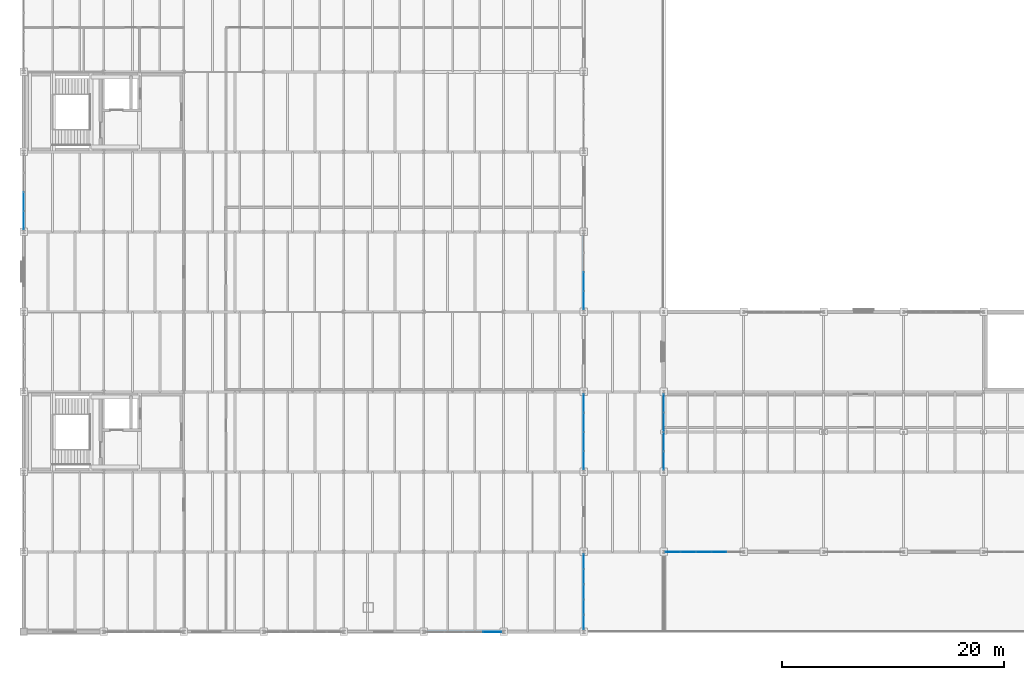
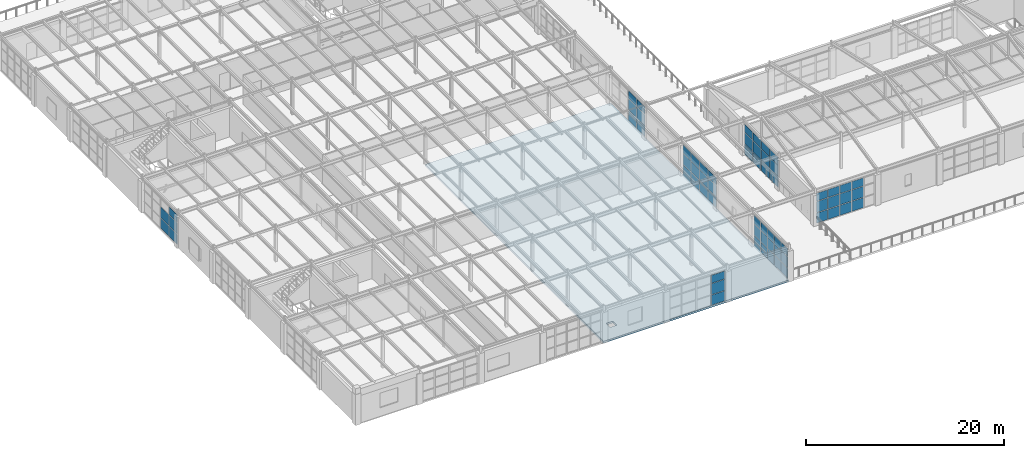
# One storey, part 82 of 101: 65 plates, 1 slab, 7 elements without a shape of their own.
"""IFC4 building model written with IfcOpenShell, lengths in metres."""

from ifc_helpers import new_model, si_unit, direction, frame, origin, origin_2d, place, context, subcontext, project, spatial, polyline, rectangle, outline, extrude, material, layer, layer_set, type_object, element, aggregate, save


model = new_model("IFC4")

# Units and contexts
model_context = context("Model", 3, precision=1e-05, world=origin(), true_north=direction((0.0, 1.0)))
body_context = subcontext(model_context, "Body", "Model", "MODEL_VIEW")
ifc_project = project(units=[si_unit("LENGTHUNIT", "METRE"), si_unit("AREAUNIT", "SQUARE_METRE"), si_unit("VOLUMEUNIT", "CUBIC_METRE"), si_unit("PLANEANGLEUNIT", "RADIAN"), si_unit("MASSUNIT", "GRAM", prefix="KILO")], contexts=[model_context])

# Site, building, storey
site_placement = place(None, origin())
site = spatial("IfcSite", under=ifc_project, at=site_placement, CompositionType="ELEMENT")
building_placement = place(site_placement, origin())
building = spatial("IfcBuilding", under=site, at=building_placement, Name="Kemerveld Promenade Tramway Depot", CompositionType="ELEMENT")
storey_placement = place(building_placement, frame((0.0, 0.0, 9.89990234375)))
storey = spatial("IfcBuildingStorey", under=building, at=storey_placement, Name="L02", CompositionType="ELEMENT", Elevation=9.89990234375)

# Curtain wall, plates
ifc_material_1 = material(Name="Bronze anodised aluminium and solar glass", Category="aluminium")
ifc_layer_1 = layer(ifc_material_1, 0.159912109375)
ifc_layer_set_1 = layer_set([ifc_layer_1], Name="CW-SYS-09")
curtain_wall_type_1 = type_object("IfcCurtainWallType", Name="CW-SYS-09", PredefinedType="USERDEFINED", material=ifc_layer_set_1)
curtain_wall_1_placement = place(storey_placement, origin())
curtain_wall_1 = element("IfcCurtainWall", 1, at=curtain_wall_1_placement, inside=storey, type_object=curtain_wall_type_1, Name="CW-L02-V5W-06", ObjectType="GLAZED_CURTAIN_WALL", PredefinedType="USERDEFINED")
ifc_material_2 = material(Name="Solar-control laminated double glazing", Category="glass")
ifc_layer_2 = layer(ifc_material_2, 0.028076171875)
ifc_layer_set_2 = layer_set([ifc_layer_2], Name="CW-PNL-01")
plate_type_1 = type_object("IfcPlateType", Name="CW-PNL-01", PredefinedType="CURTAIN_PANEL", material=ifc_layer_set_2)
plate_1_placement = place(storey_placement, frame((0.0, 37.034912109375, 0.06005859375), z_axis=(0.0, 0.0, 1.0), x_axis=(0.0, 1.0, 0.0)))
plate_1 = element("IfcPlate", 2, at=plate_1_placement, type_object=plate_type_1, Name="CW09 panel 1.1", PredefinedType="CURTAIN_PANEL", context=body_context, shape_type="SweptSolid", body=[
    extrude(rectangle(XDim=1.62353515625, YDim=0.028076171875, at=origin_2d()), origin(), (0.0, 0.0, 1.0), 1.239990234375),
])
plate_2_placement = place(storey_placement, frame((0.0, 37.034912109375, 1.3603515625), z_axis=(0.0, 0.0, 1.0), x_axis=(0.0, 1.0, 0.0)))
plate_2 = element("IfcPlate", 3, at=plate_2_placement, type_object=plate_type_1, Name="CW09 panel 1.2", PredefinedType="CURTAIN_PANEL", context=body_context, shape_type="SweptSolid", body=[
    extrude(rectangle(XDim=1.62353515625, YDim=0.028076171875, at=origin_2d()), origin(), (0.0, 0.0, 1.0), 1.345947265625),
])
plate_3_placement = place(storey_placement, frame((0.0, 37.034912109375, 2.76611328125), z_axis=(0.0, 0.0, 1.0), x_axis=(0.0, 1.0, 0.0)))
plate_3 = element("IfcPlate", 4, at=plate_3_placement, type_object=plate_type_1, Name="CW09 panel 1.3", PredefinedType="CURTAIN_PANEL", context=body_context, shape_type="SweptSolid", body=[
    extrude(rectangle(XDim=1.62353515625, YDim=0.028076171875, at=origin_2d()), origin(), (0.0, 0.0, 1.0), 0.97412109375),
])
plate_4_placement = place(storey_placement, frame((0.0, 38.739501953125, 0.06005859375), z_axis=(0.0, 0.0, 1.0), x_axis=(0.0, 1.0, 0.0)))
plate_4 = element("IfcPlate", 5, at=plate_4_placement, type_object=plate_type_1, Name="CW09 panel 2.1", PredefinedType="CURTAIN_PANEL", context=body_context, shape_type="SweptSolid", body=[
    extrude(rectangle(XDim=1.656005859375, YDim=0.028076171875, at=origin_2d()), origin(), (0.0, 0.0, 1.0), 1.239990234375),
])
plate_5_placement = place(storey_placement, frame((0.0, 38.739501953125, 1.3603515625), z_axis=(0.0, 0.0, 1.0), x_axis=(0.0, 1.0, 0.0)))
plate_5 = element("IfcPlate", 6, at=plate_5_placement, type_object=plate_type_1, Name="CW09 panel 2.2", PredefinedType="CURTAIN_PANEL", context=body_context, shape_type="SweptSolid", body=[
    extrude(rectangle(XDim=1.656005859375, YDim=0.028076171875, at=origin_2d()), origin(), (0.0, 0.0, 1.0), 1.345947265625),
])
aggregate(curtain_wall_1, [plate_1, plate_2, plate_3, plate_4, plate_5])

curtain_wall_2_placement = place(storey_placement, origin())
curtain_wall_2 = element("IfcCurtainWall", 7, at=curtain_wall_2_placement, inside=storey, type_object=curtain_wall_type_1, Name="CW-L02-V5E-06", ObjectType="GLAZED_CURTAIN_WALL", PredefinedType="USERDEFINED")
plate_6_placement = place(storey_placement, frame((50.39990234375, 31.53955078125, 0.06005859375), z_axis=(0.0, 0.0, 1.0), x_axis=(0.0, -1.0, 0.0)))
plate_6 = element("IfcPlate", 8, at=plate_6_placement, type_object=plate_type_1, Name="CW09 panel 3.1", PredefinedType="CURTAIN_PANEL", context=body_context, shape_type="SweptSolid", body=[
    extrude(rectangle(XDim=1.656005859375, YDim=0.028076171875, at=origin_2d()), origin(), (0.0, 0.0, 1.0), 1.239990234375),
])
plate_7_placement = place(storey_placement, frame((50.39990234375, 31.53955078125, 1.3603515625), z_axis=(0.0, 0.0, 1.0), x_axis=(0.0, -1.0, 0.0)))
plate_7 = element("IfcPlate", 9, at=plate_7_placement, type_object=plate_type_1, Name="CW09 panel 3.2", PredefinedType="CURTAIN_PANEL", context=body_context, shape_type="SweptSolid", body=[
    extrude(rectangle(XDim=1.656005859375, YDim=0.028076171875, at=origin_2d()), origin(), (0.0, 0.0, 1.0), 1.345947265625),
])
plate_8_placement = place(storey_placement, frame((50.39990234375, 31.53955078125, 2.76611328125), z_axis=(0.0, 0.0, 1.0), x_axis=(0.0, -1.0, 0.0)))
plate_8 = element("IfcPlate", 10, at=plate_8_placement, type_object=plate_type_1, Name="CW09 panel 3.3", PredefinedType="CURTAIN_PANEL", context=body_context, shape_type="SweptSolid", body=[
    extrude(rectangle(XDim=1.656005859375, YDim=0.028076171875, at=origin_2d()), origin(), (0.0, 0.0, 1.0), 0.97412109375),
])
plate_9_placement = place(storey_placement, frame((50.39990234375, 29.834716796875, 0.06005859375), z_axis=(0.0, 0.0, 1.0), x_axis=(0.0, -1.0, 0.0)))
plate_9 = element("IfcPlate", 11, at=plate_9_placement, type_object=plate_type_1, Name="CW09 panel 4.1", PredefinedType="CURTAIN_PANEL", context=body_context, shape_type="SweptSolid", body=[
    extrude(rectangle(XDim=1.62353515625, YDim=0.028076171875, at=origin_2d()), origin(), (0.0, 0.0, 1.0), 1.239990234375),
])
plate_10_placement = place(storey_placement, frame((50.39990234375, 29.834716796875, 1.3603515625), z_axis=(0.0, 0.0, 1.0), x_axis=(0.0, -1.0, 0.0)))
plate_10 = element("IfcPlate", 12, at=plate_10_placement, type_object=plate_type_1, Name="CW09 panel 4.2", PredefinedType="CURTAIN_PANEL", context=body_context, shape_type="SweptSolid", body=[
    extrude(rectangle(XDim=1.62353515625, YDim=0.028076171875, at=origin_2d()), origin(), (0.0, 0.0, 1.0), 1.345947265625),
])
plate_11_placement = place(storey_placement, frame((50.39990234375, 29.834716796875, 2.76611328125), z_axis=(0.0, 0.0, 1.0), x_axis=(0.0, -1.0, 0.0)))
plate_11 = element("IfcPlate", 13, at=plate_11_placement, type_object=plate_type_1, Name="CW09 panel 4.3", PredefinedType="CURTAIN_PANEL", context=body_context, shape_type="SweptSolid", body=[
    extrude(rectangle(XDim=1.62353515625, YDim=0.028076171875, at=origin_2d()), origin(), (0.0, 0.0, 1.0), 0.97412109375),
])
aggregate(curtain_wall_2, [plate_6, plate_7, plate_8, plate_9, plate_10, plate_11])

ifc_layer_3 = layer(ifc_material_1, 0.159912109375)
ifc_layer_set_3 = layer_set([ifc_layer_3], Name="CW-SYS-11")
curtain_wall_type_2 = type_object("IfcCurtainWallType", Name="CW-SYS-11", PredefinedType="USERDEFINED", material=ifc_layer_set_3)
curtain_wall_3_placement = place(storey_placement, origin())
curtain_wall_3 = element("IfcCurtainWall", 14, at=curtain_wall_3_placement, inside=storey, type_object=curtain_wall_type_2, Name="CW-L02-V5E-08", ObjectType="GLAZED_CURTAIN_WALL", PredefinedType="USERDEFINED")
ifc_layer_4 = layer(ifc_material_2, 0.028076171875)
ifc_layer_set_4 = layer_set([ifc_layer_4], Name="CW-PNL-03")
plate_type_2 = type_object("IfcPlateType", Name="CW-PNL-03", PredefinedType="CURTAIN_PANEL", material=ifc_layer_set_4)
plate_12_placement = place(storey_placement, frame((50.39990234375, 20.565185546875, 0.06005859375), z_axis=(0.0, 0.0, 1.0), x_axis=(0.0, -1.0, 0.0)))
plate_12 = element("IfcPlate", 15, at=plate_12_placement, type_object=plate_type_2, Name="CW11 panel 1.1", PredefinedType="CURTAIN_PANEL", context=body_context, shape_type="SweptSolid", body=[
    extrude(rectangle(XDim=1.62353515625, YDim=0.028076171875, at=origin_2d()), origin(), (0.0, 0.0, 1.0), 1.239990234375),
])
plate_13_placement = place(storey_placement, frame((50.39990234375, 20.565185546875, 1.3603515625), z_axis=(0.0, 0.0, 1.0), x_axis=(0.0, -1.0, 0.0)))
plate_13 = element("IfcPlate", 16, at=plate_13_placement, type_object=plate_type_2, Name="CW11 panel 1.2", PredefinedType="CURTAIN_PANEL", context=body_context, shape_type="SweptSolid", body=[
    extrude(rectangle(XDim=1.62353515625, YDim=0.028076171875, at=origin_2d()), origin(), (0.0, 0.0, 1.0), 1.345947265625),
])
plate_14_placement = place(storey_placement, frame((50.39990234375, 20.565185546875, 2.76611328125), z_axis=(0.0, 0.0, 1.0), x_axis=(0.0, -1.0, 0.0)))
plate_14 = element("IfcPlate", 17, at=plate_14_placement, type_object=plate_type_2, Name="CW11 panel 1.3", PredefinedType="CURTAIN_PANEL", context=body_context, shape_type="SweptSolid", body=[
    extrude(rectangle(XDim=1.62353515625, YDim=0.028076171875, at=origin_2d()), origin(), (0.0, 0.0, 1.0), 0.97412109375),
])
plate_15_placement = place(storey_placement, frame((50.39990234375, 18.860595703125, 0.06005859375), z_axis=(0.0, 0.0, 1.0), x_axis=(0.0, -1.0, 0.0)))
plate_15 = element("IfcPlate", 18, at=plate_15_placement, type_object=plate_type_2, Name="CW11 panel 2.1", PredefinedType="CURTAIN_PANEL", context=body_context, shape_type="SweptSolid", body=[
    extrude(rectangle(XDim=1.656005859375, YDim=0.028076171875, at=origin_2d()), origin(), (0.0, 0.0, 1.0), 1.239990234375),
])
plate_16_placement = place(storey_placement, frame((50.39990234375, 18.860595703125, 1.3603515625), z_axis=(0.0, 0.0, 1.0), x_axis=(0.0, -1.0, 0.0)))
plate_16 = element("IfcPlate", 19, at=plate_16_placement, type_object=plate_type_2, Name="CW11 panel 2.2", PredefinedType="CURTAIN_PANEL", context=body_context, shape_type="SweptSolid", body=[
    extrude(rectangle(XDim=1.656005859375, YDim=0.028076171875, at=origin_2d()), origin(), (0.0, 0.0, 1.0), 1.345947265625),
])
plate_17_placement = place(storey_placement, frame((50.39990234375, 18.860595703125, 2.76611328125), z_axis=(0.0, 0.0, 1.0), x_axis=(0.0, -1.0, 0.0)))
plate_17 = element("IfcPlate", 20, at=plate_17_placement, type_object=plate_type_2, Name="CW11 panel 2.3", PredefinedType="CURTAIN_PANEL", context=body_context, shape_type="SweptSolid", body=[
    extrude(rectangle(XDim=1.656005859375, YDim=0.028076171875, at=origin_2d()), origin(), (0.0, 0.0, 1.0), 0.97412109375),
])
plate_18_placement = place(storey_placement, frame((50.39990234375, 17.139404296875, 0.06005859375), z_axis=(0.0, 0.0, 1.0), x_axis=(0.0, -1.0, 0.0)))
plate_18 = element("IfcPlate", 21, at=plate_18_placement, type_object=plate_type_2, Name="CW11 panel 3.1", PredefinedType="CURTAIN_PANEL", context=body_context, shape_type="SweptSolid", body=[
    extrude(rectangle(XDim=1.656005859375, YDim=0.028076171875, at=origin_2d()), origin(), (0.0, 0.0, 1.0), 1.239990234375),
])
plate_19_placement = place(storey_placement, frame((50.39990234375, 17.139404296875, 1.3603515625), z_axis=(0.0, 0.0, 1.0), x_axis=(0.0, -1.0, 0.0)))
plate_19 = element("IfcPlate", 22, at=plate_19_placement, type_object=plate_type_2, Name="CW11 panel 3.2", PredefinedType="CURTAIN_PANEL", context=body_context, shape_type="SweptSolid", body=[
    extrude(rectangle(XDim=1.656005859375, YDim=0.028076171875, at=origin_2d()), origin(), (0.0, 0.0, 1.0), 1.345947265625),
])
plate_20_placement = place(storey_placement, frame((50.39990234375, 17.139404296875, 2.76611328125), z_axis=(0.0, 0.0, 1.0), x_axis=(0.0, -1.0, 0.0)))
plate_20 = element("IfcPlate", 23, at=plate_20_placement, type_object=plate_type_2, Name="CW11 panel 3.3", PredefinedType="CURTAIN_PANEL", context=body_context, shape_type="SweptSolid", body=[
    extrude(rectangle(XDim=1.656005859375, YDim=0.028076171875, at=origin_2d()), origin(), (0.0, 0.0, 1.0), 0.97412109375),
])
plate_21_placement = place(storey_placement, frame((50.39990234375, 15.434814453125, 0.06005859375), z_axis=(0.0, 0.0, 1.0), x_axis=(0.0, -1.0, 0.0)))
plate_21 = element("IfcPlate", 24, at=plate_21_placement, type_object=plate_type_2, Name="CW11 panel 4.1", PredefinedType="CURTAIN_PANEL", context=body_context, shape_type="SweptSolid", body=[
    extrude(rectangle(XDim=1.62353515625, YDim=0.028076171875, at=origin_2d()), origin(), (0.0, 0.0, 1.0), 1.239990234375),
])
plate_22_placement = place(storey_placement, frame((50.39990234375, 15.434814453125, 1.3603515625), z_axis=(0.0, 0.0, 1.0), x_axis=(0.0, -1.0, 0.0)))
plate_22 = element("IfcPlate", 25, at=plate_22_placement, type_object=plate_type_2, Name="CW11 panel 4.2", PredefinedType="CURTAIN_PANEL", context=body_context, shape_type="SweptSolid", body=[
    extrude(rectangle(XDim=1.62353515625, YDim=0.028076171875, at=origin_2d()), origin(), (0.0, 0.0, 1.0), 1.345947265625),
])
plate_23_placement = place(storey_placement, frame((50.39990234375, 15.434814453125, 2.76611328125), z_axis=(0.0, 0.0, 1.0), x_axis=(0.0, -1.0, 0.0)))
plate_23 = element("IfcPlate", 26, at=plate_23_placement, type_object=plate_type_2, Name="CW11 panel 4.3", PredefinedType="CURTAIN_PANEL", context=body_context, shape_type="SweptSolid", body=[
    extrude(rectangle(XDim=1.62353515625, YDim=0.028076171875, at=origin_2d()), origin(), (0.0, 0.0, 1.0), 0.97412109375),
])
aggregate(curtain_wall_3, [plate_12, plate_13, plate_14, plate_15, plate_16, plate_17, plate_18, plate_19, plate_20, plate_21, plate_22, plate_23])

ifc_layer_5 = layer(ifc_material_1, 0.159912109375)
ifc_layer_set_5 = layer_set([ifc_layer_5], Name="CW-SYS-13")
curtain_wall_type_3 = type_object("IfcCurtainWallType", Name="CW-SYS-13", PredefinedType="USERDEFINED", material=ifc_layer_set_5)
curtain_wall_4_placement = place(storey_placement, origin())
curtain_wall_4 = element("IfcCurtainWall", 27, at=curtain_wall_4_placement, inside=storey, type_object=curtain_wall_type_3, Name="CW-L02-V5E-10", ObjectType="GLAZED_CURTAIN_WALL", PredefinedType="USERDEFINED")
ifc_layer_6 = layer(ifc_material_2, 0.031982421875)
ifc_layer_set_6 = layer_set([ifc_layer_6], Name="CW-PNL-05")
plate_type_3 = type_object("IfcPlateType", Name="CW-PNL-05", PredefinedType="CURTAIN_PANEL", material=ifc_layer_set_6)
plate_24_placement = place(storey_placement, frame((50.39990234375, 6.337158203125, 0.06005859375), z_axis=(0.0, 0.0, 1.0), x_axis=(0.0, -1.0, 0.0)))
plate_24 = element("IfcPlate", 28, at=plate_24_placement, type_object=plate_type_3, Name="CW13 panel 1.1", PredefinedType="CURTAIN_PANEL", context=body_context, shape_type="SweptSolid", body=[
    extrude(rectangle(XDim=1.279296875, YDim=0.031982421875, at=origin_2d()), origin(), (0.0, 0.0, 1.0), 1.239990234375),
])
plate_25_placement = place(storey_placement, frame((50.39990234375, 6.337158203125, 1.3603515625), z_axis=(0.0, 0.0, 1.0), x_axis=(0.0, -1.0, 0.0)))
plate_25 = element("IfcPlate", 29, at=plate_25_placement, type_object=plate_type_3, Name="CW13 panel 1.2", PredefinedType="CURTAIN_PANEL", context=body_context, shape_type="SweptSolid", body=[
    extrude(rectangle(XDim=1.279296875, YDim=0.031982421875, at=origin_2d()), origin(), (0.0, 0.0, 1.0), 1.345947265625),
])
plate_26_placement = place(storey_placement, frame((50.39990234375, 6.337158203125, 2.76611328125), z_axis=(0.0, 0.0, 1.0), x_axis=(0.0, -1.0, 0.0)))
plate_26 = element("IfcPlate", 30, at=plate_26_placement, type_object=plate_type_3, Name="CW13 panel 1.3", PredefinedType="CURTAIN_PANEL", context=body_context, shape_type="SweptSolid", body=[
    extrude(rectangle(XDim=1.279296875, YDim=0.031982421875, at=origin_2d()), origin(), (0.0, 0.0, 1.0), 0.97412109375),
])
plate_27_placement = place(storey_placement, frame((50.39990234375, 4.976806640625, 0.06005859375), z_axis=(0.0, 0.0, 1.0), x_axis=(0.0, -1.0, 0.0)))
plate_27 = element("IfcPlate", 31, at=plate_27_placement, type_object=plate_type_3, Name="CW13 panel 2.1", PredefinedType="CURTAIN_PANEL", context=body_context, shape_type="SweptSolid", body=[
    extrude(rectangle(XDim=1.311767578125, YDim=0.031982421875, at=origin_2d()), origin(), (0.0, 0.0, 1.0), 1.239990234375),
])
plate_28_placement = place(storey_placement, frame((50.39990234375, 4.976806640625, 1.3603515625), z_axis=(0.0, 0.0, 1.0), x_axis=(0.0, -1.0, 0.0)))
plate_28 = element("IfcPlate", 32, at=plate_28_placement, type_object=plate_type_3, Name="CW13 panel 2.2", PredefinedType="CURTAIN_PANEL", context=body_context, shape_type="SweptSolid", body=[
    extrude(rectangle(XDim=1.311767578125, YDim=0.031982421875, at=origin_2d()), origin(), (0.0, 0.0, 1.0), 1.345947265625),
])
plate_29_placement = place(storey_placement, frame((50.39990234375, 4.976806640625, 2.76611328125), z_axis=(0.0, 0.0, 1.0), x_axis=(0.0, -1.0, 0.0)))
plate_29 = element("IfcPlate", 33, at=plate_29_placement, type_object=plate_type_3, Name="CW13 panel 2.3", PredefinedType="CURTAIN_PANEL", context=body_context, shape_type="SweptSolid", body=[
    extrude(rectangle(XDim=1.311767578125, YDim=0.031982421875, at=origin_2d()), origin(), (0.0, 0.0, 1.0), 0.97412109375),
])
plate_30_placement = place(storey_placement, frame((50.39990234375, 3.60009765625, 0.06005859375), z_axis=(0.0, 0.0, 1.0), x_axis=(0.0, -1.0, 0.0)))
plate_30 = element("IfcPlate", 34, at=plate_30_placement, type_object=plate_type_3, Name="CW13 panel 3.1", PredefinedType="CURTAIN_PANEL", context=body_context, shape_type="SweptSolid", body=[
    extrude(rectangle(XDim=1.311767578125, YDim=0.031982421875, at=origin_2d()), origin(), (0.0, 0.0, 1.0), 1.239990234375),
])
plate_31_placement = place(storey_placement, frame((50.39990234375, 3.60009765625, 1.3603515625), z_axis=(0.0, 0.0, 1.0), x_axis=(0.0, -1.0, 0.0)))
plate_31 = element("IfcPlate", 35, at=plate_31_placement, type_object=plate_type_3, Name="CW13 panel 3.2", PredefinedType="CURTAIN_PANEL", context=body_context, shape_type="SweptSolid", body=[
    extrude(rectangle(XDim=1.311767578125, YDim=0.031982421875, at=origin_2d()), origin(), (0.0, 0.0, 1.0), 1.345947265625),
])
plate_32_placement = place(storey_placement, frame((50.39990234375, 3.60009765625, 2.76611328125), z_axis=(0.0, 0.0, 1.0), x_axis=(0.0, -1.0, 0.0)))
plate_32 = element("IfcPlate", 36, at=plate_32_placement, type_object=plate_type_3, Name="CW13 panel 3.3", PredefinedType="CURTAIN_PANEL", context=body_context, shape_type="SweptSolid", body=[
    extrude(rectangle(XDim=1.311767578125, YDim=0.031982421875, at=origin_2d()), origin(), (0.0, 0.0, 1.0), 0.97412109375),
])
plate_33_placement = place(storey_placement, frame((50.39990234375, 2.22314453125, 0.06005859375), z_axis=(0.0, 0.0, 1.0), x_axis=(0.0, -1.0, 0.0)))
plate_33 = element("IfcPlate", 37, at=plate_33_placement, type_object=plate_type_3, Name="CW13 panel 4.1", PredefinedType="CURTAIN_PANEL", context=body_context, shape_type="SweptSolid", body=[
    extrude(rectangle(XDim=1.311767578125, YDim=0.031982421875, at=origin_2d()), origin(), (0.0, 0.0, 1.0), 1.239990234375),
])
plate_34_placement = place(storey_placement, frame((50.39990234375, 2.22314453125, 1.3603515625), z_axis=(0.0, 0.0, 1.0), x_axis=(0.0, -1.0, 0.0)))
plate_34 = element("IfcPlate", 38, at=plate_34_placement, type_object=plate_type_3, Name="CW13 panel 4.2", PredefinedType="CURTAIN_PANEL", context=body_context, shape_type="SweptSolid", body=[
    extrude(rectangle(XDim=1.311767578125, YDim=0.031982421875, at=origin_2d()), origin(), (0.0, 0.0, 1.0), 1.345947265625),
])
plate_35_placement = place(storey_placement, frame((50.39990234375, 2.22314453125, 2.76611328125), z_axis=(0.0, 0.0, 1.0), x_axis=(0.0, -1.0, 0.0)))
plate_35 = element("IfcPlate", 39, at=plate_35_placement, type_object=plate_type_3, Name="CW13 panel 4.3", PredefinedType="CURTAIN_PANEL", context=body_context, shape_type="SweptSolid", body=[
    extrude(rectangle(XDim=1.311767578125, YDim=0.031982421875, at=origin_2d()), origin(), (0.0, 0.0, 1.0), 0.97412109375),
])
plate_36_placement = place(storey_placement, frame((50.39990234375, 0.86279296875, 0.06005859375), z_axis=(0.0, 0.0, 1.0), x_axis=(0.0, -1.0, 0.0)))
plate_36 = element("IfcPlate", 40, at=plate_36_placement, type_object=plate_type_3, Name="CW13 panel 5.1", PredefinedType="CURTAIN_PANEL", context=body_context, shape_type="SweptSolid", body=[
    extrude(rectangle(XDim=1.279296875, YDim=0.031982421875, at=origin_2d()), origin(), (0.0, 0.0, 1.0), 1.239990234375),
])
plate_37_placement = place(storey_placement, frame((50.39990234375, 0.86279296875, 1.3603515625), z_axis=(0.0, 0.0, 1.0), x_axis=(0.0, -1.0, 0.0)))
plate_37 = element("IfcPlate", 41, at=plate_37_placement, type_object=plate_type_3, Name="CW13 panel 5.2", PredefinedType="CURTAIN_PANEL", context=body_context, shape_type="SweptSolid", body=[
    extrude(rectangle(XDim=1.279296875, YDim=0.031982421875, at=origin_2d()), origin(), (0.0, 0.0, 1.0), 1.345947265625),
])
plate_38_placement = place(storey_placement, frame((50.39990234375, 0.86279296875, 2.76611328125), z_axis=(0.0, 0.0, 1.0), x_axis=(0.0, -1.0, 0.0)))
plate_38 = element("IfcPlate", 42, at=plate_38_placement, type_object=plate_type_3, Name="CW13 panel 5.3", PredefinedType="CURTAIN_PANEL", context=body_context, shape_type="SweptSolid", body=[
    extrude(rectangle(XDim=1.279296875, YDim=0.031982421875, at=origin_2d()), origin(), (0.0, 0.0, 1.0), 0.97412109375),
])
aggregate(curtain_wall_4, [plate_24, plate_25, plate_26, plate_27, plate_28, plate_29, plate_30, plate_31, plate_32, plate_33, plate_34, plate_35, plate_36, plate_37, plate_38])

ifc_layer_7 = layer(ifc_material_1, 0.159912109375)
ifc_layer_set_7 = layer_set([ifc_layer_7], Name="CW-SYS-05")
curtain_wall_type_4 = type_object("IfcCurtainWallType", Name="CW-SYS-05", PredefinedType="USERDEFINED", material=ifc_layer_set_7)
curtain_wall_5_placement = place(storey_placement, origin())
curtain_wall_5 = element("IfcCurtainWall", 43, at=curtain_wall_5_placement, inside=storey, type_object=curtain_wall_type_4, Name="CW-L02-V5S-02", ObjectType="GLAZED_CURTAIN_WALL", PredefinedType="USERDEFINED")
plate_39_placement = place(storey_placement, frame((42.165283203125, 0.0, 0.06005859375), z_axis=(0.0, 0.0, 1.0), x_axis=(-1.0, 0.0, 0.0)))
plate_39 = element("IfcPlate", 44, at=plate_39_placement, type_object=plate_type_3, Name="CW05 panel 1.1", PredefinedType="CURTAIN_PANEL", context=body_context, shape_type="SweptSolid", body=[
    extrude(rectangle(XDim=1.62353515625, YDim=0.031982421875, at=origin_2d()), origin(), (0.0, 0.0, 1.0), 1.239990234375),
])
plate_40_placement = place(storey_placement, frame((42.165283203125, 0.0, 1.3603515625), z_axis=(0.0, 0.0, 1.0), x_axis=(-1.0, 0.0, 0.0)))
plate_40 = element("IfcPlate", 45, at=plate_40_placement, type_object=plate_type_3, Name="CW05 panel 1.2", PredefinedType="CURTAIN_PANEL", context=body_context, shape_type="SweptSolid", body=[
    extrude(rectangle(XDim=1.62353515625, YDim=0.031982421875, at=origin_2d()), origin(), (0.0, 0.0, 1.0), 1.345947265625),
])
plate_41_placement = place(storey_placement, frame((42.165283203125, 0.0, 2.76611328125), z_axis=(0.0, 0.0, 1.0), x_axis=(-1.0, 0.0, 0.0)))
plate_41 = element("IfcPlate", 46, at=plate_41_placement, type_object=plate_type_3, Name="CW05 panel 1.3", PredefinedType="CURTAIN_PANEL", context=body_context, shape_type="SweptSolid", body=[
    extrude(rectangle(XDim=1.62353515625, YDim=0.031982421875, at=origin_2d()), origin(), (0.0, 0.0, 1.0), 0.97412109375),
])
aggregate(curtain_wall_5, [plate_39, plate_40, plate_41])

curtain_wall_6_placement = place(storey_placement, origin())
curtain_wall_6 = element("IfcCurtainWall", 47, at=curtain_wall_6_placement, inside=storey, type_object=curtain_wall_type_3, Name="CW-L02-V4S-10", ObjectType="GLAZED_CURTAIN_WALL", PredefinedType="USERDEFINED")
plate_42_placement = place(storey_placement, frame((62.590087890625, 7.199951171875, 0.06005859375), z_axis=(0.0, 0.0, 1.0), x_axis=(-1.0, 0.0, 0.0)))
plate_42 = element("IfcPlate", 48, at=plate_42_placement, type_object=plate_type_3, Name="CW13 panel 2.1", PredefinedType="CURTAIN_PANEL", context=body_context, shape_type="SweptSolid", body=[
    extrude(rectangle(XDim=1.3251953125, YDim=0.031982421875, at=origin_2d()), origin(), (0.0, 0.0, 1.0), 1.239990234375),
])
plate_43_placement = place(storey_placement, frame((62.590087890625, 7.199951171875, 1.3603515625), z_axis=(0.0, 0.0, 1.0), x_axis=(-1.0, 0.0, 0.0)))
plate_43 = element("IfcPlate", 49, at=plate_43_placement, type_object=plate_type_3, Name="CW13 panel 2.2", PredefinedType="CURTAIN_PANEL", context=body_context, shape_type="SweptSolid", body=[
    extrude(rectangle(XDim=1.3251953125, YDim=0.031982421875, at=origin_2d()), origin(), (0.0, 0.0, 1.0), 1.345947265625),
])
plate_44_placement = place(storey_placement, frame((62.590087890625, 7.199951171875, 2.76611328125), z_axis=(0.0, 0.0, 1.0), x_axis=(-1.0, 0.0, 0.0)))
plate_44 = element("IfcPlate", 50, at=plate_44_placement, type_object=plate_type_3, Name="CW13 panel 2.3", PredefinedType="CURTAIN_PANEL", context=body_context, shape_type="SweptSolid", body=[
    extrude(rectangle(XDim=1.3251953125, YDim=0.031982421875, at=origin_2d()), origin(), (0.0, 0.0, 1.0), 0.97412109375),
])
plate_45_placement = place(storey_placement, frame((61.199951171875, 7.199951171875, 0.06005859375), z_axis=(0.0, 0.0, 1.0), x_axis=(-1.0, 0.0, 0.0)))
plate_45 = element("IfcPlate", 51, at=plate_45_placement, type_object=plate_type_3, Name="CW13 panel 3.1", PredefinedType="CURTAIN_PANEL", context=body_context, shape_type="SweptSolid", body=[
    extrude(rectangle(XDim=1.3251953125, YDim=0.031982421875, at=origin_2d()), origin(), (0.0, 0.0, 1.0), 1.239990234375),
])
plate_46_placement = place(storey_placement, frame((61.199951171875, 7.199951171875, 1.3603515625), z_axis=(0.0, 0.0, 1.0), x_axis=(-1.0, 0.0, 0.0)))
plate_46 = element("IfcPlate", 52, at=plate_46_placement, type_object=plate_type_3, Name="CW13 panel 3.2", PredefinedType="CURTAIN_PANEL", context=body_context, shape_type="SweptSolid", body=[
    extrude(rectangle(XDim=1.3251953125, YDim=0.031982421875, at=origin_2d()), origin(), (0.0, 0.0, 1.0), 1.345947265625),
])
plate_47_placement = place(storey_placement, frame((61.199951171875, 7.199951171875, 2.76611328125), z_axis=(0.0, 0.0, 1.0), x_axis=(-1.0, 0.0, 0.0)))
plate_47 = element("IfcPlate", 53, at=plate_47_placement, type_object=plate_type_3, Name="CW13 panel 3.3", PredefinedType="CURTAIN_PANEL", context=body_context, shape_type="SweptSolid", body=[
    extrude(rectangle(XDim=1.3251953125, YDim=0.031982421875, at=origin_2d()), origin(), (0.0, 0.0, 1.0), 0.97412109375),
])
plate_48_placement = place(storey_placement, frame((59.809814453125, 7.199951171875, 0.06005859375), z_axis=(0.0, 0.0, 1.0), x_axis=(-1.0, 0.0, 0.0)))
plate_48 = element("IfcPlate", 54, at=plate_48_placement, type_object=plate_type_3, Name="CW13 panel 4.1", PredefinedType="CURTAIN_PANEL", context=body_context, shape_type="SweptSolid", body=[
    extrude(rectangle(XDim=1.3251953125, YDim=0.031982421875, at=origin_2d()), origin(), (0.0, 0.0, 1.0), 1.239990234375),
])
plate_49_placement = place(storey_placement, frame((59.809814453125, 7.199951171875, 1.3603515625), z_axis=(0.0, 0.0, 1.0), x_axis=(-1.0, 0.0, 0.0)))
plate_49 = element("IfcPlate", 55, at=plate_49_placement, type_object=plate_type_3, Name="CW13 panel 4.2", PredefinedType="CURTAIN_PANEL", context=body_context, shape_type="SweptSolid", body=[
    extrude(rectangle(XDim=1.3251953125, YDim=0.031982421875, at=origin_2d()), origin(), (0.0, 0.0, 1.0), 1.345947265625),
])
plate_50_placement = place(storey_placement, frame((59.809814453125, 7.199951171875, 2.76611328125), z_axis=(0.0, 0.0, 1.0), x_axis=(-1.0, 0.0, 0.0)))
plate_50 = element("IfcPlate", 56, at=plate_50_placement, type_object=plate_type_3, Name="CW13 panel 4.3", PredefinedType="CURTAIN_PANEL", context=body_context, shape_type="SweptSolid", body=[
    extrude(rectangle(XDim=1.3251953125, YDim=0.031982421875, at=origin_2d()), origin(), (0.0, 0.0, 1.0), 0.97412109375),
])
plate_51_placement = place(storey_placement, frame((58.43603515625, 7.199951171875, 0.06005859375), z_axis=(0.0, 0.0, 1.0), x_axis=(-1.0, 0.0, 0.0)))
plate_51 = element("IfcPlate", 57, at=plate_51_placement, type_object=plate_type_3, Name="CW13 panel 5.1", PredefinedType="CURTAIN_PANEL", context=body_context, shape_type="SweptSolid", body=[
    extrude(rectangle(XDim=1.29248046875, YDim=0.031982421875, at=origin_2d()), origin(), (0.0, 0.0, 1.0), 1.239990234375),
])
plate_52_placement = place(storey_placement, frame((58.43603515625, 7.199951171875, 1.3603515625), z_axis=(0.0, 0.0, 1.0), x_axis=(-1.0, 0.0, 0.0)))
plate_52 = element("IfcPlate", 58, at=plate_52_placement, type_object=plate_type_3, Name="CW13 panel 5.2", PredefinedType="CURTAIN_PANEL", context=body_context, shape_type="SweptSolid", body=[
    extrude(rectangle(XDim=1.29248046875, YDim=0.031982421875, at=origin_2d()), origin(), (0.0, 0.0, 1.0), 1.345947265625),
])
plate_53_placement = place(storey_placement, frame((58.43603515625, 7.199951171875, 2.76611328125), z_axis=(0.0, 0.0, 1.0), x_axis=(-1.0, 0.0, 0.0)))
plate_53 = element("IfcPlate", 59, at=plate_53_placement, type_object=plate_type_3, Name="CW13 panel 5.3", PredefinedType="CURTAIN_PANEL", context=body_context, shape_type="SweptSolid", body=[
    extrude(rectangle(XDim=1.29248046875, YDim=0.031982421875, at=origin_2d()), origin(), (0.0, 0.0, 1.0), 0.97412109375),
])
aggregate(curtain_wall_6, [plate_42, plate_43, plate_44, plate_45, plate_46, plate_47, plate_48, plate_49, plate_50, plate_51, plate_52, plate_53])

curtain_wall_7_placement = place(storey_placement, origin())
curtain_wall_7 = element("IfcCurtainWall", 60, at=curtain_wall_7_placement, inside=storey, type_object=curtain_wall_type_4, Name="CW-L02-V4W-02", ObjectType="GLAZED_CURTAIN_WALL", PredefinedType="USERDEFINED")
plate_54_placement = place(storey_placement, frame((57.60009765625, 15.409912109375, 0.06005859375), z_axis=(0.0, 0.0, 1.0), x_axis=(0.0, 1.0, 0.0)))
plate_54 = element("IfcPlate", 61, at=plate_54_placement, type_object=plate_type_3, Name="CW05 panel 1.1", PredefinedType="CURTAIN_PANEL", context=body_context, shape_type="SweptSolid", body=[
    extrude(rectangle(XDim=1.64013671875, YDim=0.031982421875, at=origin_2d()), origin(), (0.0, 0.0, 1.0), 1.239990234375),
])
plate_55_placement = place(storey_placement, frame((57.60009765625, 15.409912109375, 1.3603515625), z_axis=(0.0, 0.0, 1.0), x_axis=(0.0, 1.0, 0.0)))
plate_55 = element("IfcPlate", 62, at=plate_55_placement, type_object=plate_type_3, Name="CW05 panel 1.2", PredefinedType="CURTAIN_PANEL", context=body_context, shape_type="SweptSolid", body=[
    extrude(rectangle(XDim=1.64013671875, YDim=0.031982421875, at=origin_2d()), origin(), (0.0, 0.0, 1.0), 1.345947265625),
])
plate_56_placement = place(storey_placement, frame((57.60009765625, 15.409912109375, 2.76611328125), z_axis=(0.0, 0.0, 1.0), x_axis=(0.0, 1.0, 0.0)))
plate_56 = element("IfcPlate", 63, at=plate_56_placement, type_object=plate_type_3, Name="CW05 panel 1.3", PredefinedType="CURTAIN_PANEL", context=body_context, shape_type="SweptSolid", body=[
    extrude(rectangle(XDim=1.64013671875, YDim=0.031982421875, at=origin_2d()), origin(), (0.0, 0.0, 1.0), 0.97412109375),
])
plate_57_placement = place(storey_placement, frame((57.60009765625, 17.131103515625, 0.06005859375), z_axis=(0.0, 0.0, 1.0), x_axis=(0.0, 1.0, 0.0)))
plate_57 = element("IfcPlate", 64, at=plate_57_placement, type_object=plate_type_3, Name="CW05 panel 2.1", PredefinedType="CURTAIN_PANEL", context=body_context, shape_type="SweptSolid", body=[
    extrude(rectangle(XDim=1.672607421875, YDim=0.031982421875, at=origin_2d()), origin(), (0.0, 0.0, 1.0), 1.239990234375),
])
plate_58_placement = place(storey_placement, frame((57.60009765625, 17.131103515625, 1.3603515625), z_axis=(0.0, 0.0, 1.0), x_axis=(0.0, 1.0, 0.0)))
plate_58 = element("IfcPlate", 65, at=plate_58_placement, type_object=plate_type_3, Name="CW05 panel 2.2", PredefinedType="CURTAIN_PANEL", context=body_context, shape_type="SweptSolid", body=[
    extrude(rectangle(XDim=1.672607421875, YDim=0.031982421875, at=origin_2d()), origin(), (0.0, 0.0, 1.0), 1.345947265625),
])
plate_59_placement = place(storey_placement, frame((57.60009765625, 17.131103515625, 2.76611328125), z_axis=(0.0, 0.0, 1.0), x_axis=(0.0, 1.0, 0.0)))
plate_59 = element("IfcPlate", 66, at=plate_59_placement, type_object=plate_type_3, Name="CW05 panel 2.3", PredefinedType="CURTAIN_PANEL", context=body_context, shape_type="SweptSolid", body=[
    extrude(rectangle(XDim=1.672607421875, YDim=0.031982421875, at=origin_2d()), origin(), (0.0, 0.0, 1.0), 0.97412109375),
])
plate_60_placement = place(storey_placement, frame((57.60009765625, 18.868896484375, 0.06005859375), z_axis=(0.0, 0.0, 1.0), x_axis=(0.0, 1.0, 0.0)))
plate_60 = element("IfcPlate", 67, at=plate_60_placement, type_object=plate_type_3, Name="CW05 panel 3.1", PredefinedType="CURTAIN_PANEL", context=body_context, shape_type="SweptSolid", body=[
    extrude(rectangle(XDim=1.672607421875, YDim=0.031982421875, at=origin_2d()), origin(), (0.0, 0.0, 1.0), 1.239990234375),
])
plate_61_placement = place(storey_placement, frame((57.60009765625, 18.868896484375, 1.3603515625), z_axis=(0.0, 0.0, 1.0), x_axis=(0.0, 1.0, 0.0)))
plate_61 = element("IfcPlate", 68, at=plate_61_placement, type_object=plate_type_3, Name="CW05 panel 3.2", PredefinedType="CURTAIN_PANEL", context=body_context, shape_type="SweptSolid", body=[
    extrude(rectangle(XDim=1.672607421875, YDim=0.031982421875, at=origin_2d()), origin(), (0.0, 0.0, 1.0), 1.345947265625),
])
plate_62_placement = place(storey_placement, frame((57.60009765625, 18.868896484375, 2.76611328125), z_axis=(0.0, 0.0, 1.0), x_axis=(0.0, 1.0, 0.0)))
plate_62 = element("IfcPlate", 69, at=plate_62_placement, type_object=plate_type_3, Name="CW05 panel 3.3", PredefinedType="CURTAIN_PANEL", context=body_context, shape_type="SweptSolid", body=[
    extrude(rectangle(XDim=1.672607421875, YDim=0.031982421875, at=origin_2d()), origin(), (0.0, 0.0, 1.0), 0.97412109375),
])
plate_63_placement = place(storey_placement, frame((57.60009765625, 20.590087890625, 0.06005859375), z_axis=(0.0, 0.0, 1.0), x_axis=(0.0, 1.0, 0.0)))
plate_63 = element("IfcPlate", 70, at=plate_63_placement, type_object=plate_type_3, Name="CW05 panel 4.1", PredefinedType="CURTAIN_PANEL", context=body_context, shape_type="SweptSolid", body=[
    extrude(rectangle(XDim=1.64013671875, YDim=0.031982421875, at=origin_2d()), origin(), (0.0, 0.0, 1.0), 1.239990234375),
])
plate_64_placement = place(storey_placement, frame((57.60009765625, 20.590087890625, 1.3603515625), z_axis=(0.0, 0.0, 1.0), x_axis=(0.0, 1.0, 0.0)))
plate_64 = element("IfcPlate", 71, at=plate_64_placement, type_object=plate_type_3, Name="CW05 panel 4.2", PredefinedType="CURTAIN_PANEL", context=body_context, shape_type="SweptSolid", body=[
    extrude(rectangle(XDim=1.64013671875, YDim=0.031982421875, at=origin_2d()), origin(), (0.0, 0.0, 1.0), 1.345947265625),
])
plate_65_placement = place(storey_placement, frame((57.60009765625, 20.590087890625, 2.76611328125), z_axis=(0.0, 0.0, 1.0), x_axis=(0.0, 1.0, 0.0)))
plate_65 = element("IfcPlate", 72, at=plate_65_placement, type_object=plate_type_3, Name="CW05 panel 4.3", PredefinedType="CURTAIN_PANEL", context=body_context, shape_type="SweptSolid", body=[
    extrude(rectangle(XDim=1.64013671875, YDim=0.031982421875, at=origin_2d()), origin(), (0.0, 0.0, 1.0), 0.97412109375),
])
aggregate(curtain_wall_7, [plate_54, plate_55, plate_56, plate_57, plate_58, plate_59, plate_60, plate_61, plate_62, plate_63, plate_64, plate_65])

# Slab
ifc_material_3 = material(Name="Concrete C35/45", Category="concrete")
ifc_layer_8 = layer(ifc_material_3, 0.22509765625)
ifc_layer_set_8 = layer_set([ifc_layer_8], Name="SL-FL03")
slab_type = type_object("IfcSlabType", Name="SL-FL03", PredefinedType="FLOOR", material=ifc_layer_set_8)
slab_placement = place(storey_placement, frame((0.0, 0.0, -0.224853515625)))
element("IfcSlab", 73, at=slab_placement, inside=storey, type_object=slab_type, Name="SLB-L02-V5B", PredefinedType="FLOOR", context=body_context, shape_type="SweptSolid", body=[
    extrude(outline(polyline([(28.800048828125, 0.0), (50.39990234375, 0.0), (50.39990234375, 36.0), (28.800048828125, 36.0), (28.800048828125, 0.0)]), holes=[polyline([(30.60009765625, 1.800048828125), (31.39990234375, 1.800048828125), (31.39990234375, 2.60009765625), (30.60009765625, 2.60009765625), (30.60009765625, 1.800048828125)])]), origin(), (0.0, 0.0, 1.0), 0.224853515625),
])

save(model, "model.ifc")
